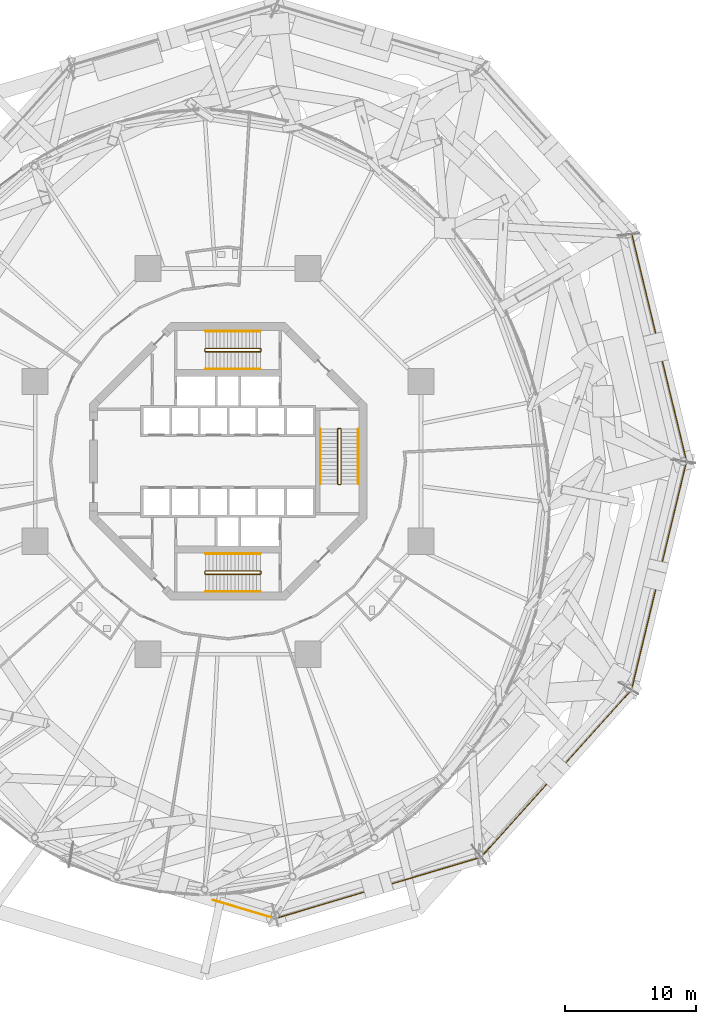
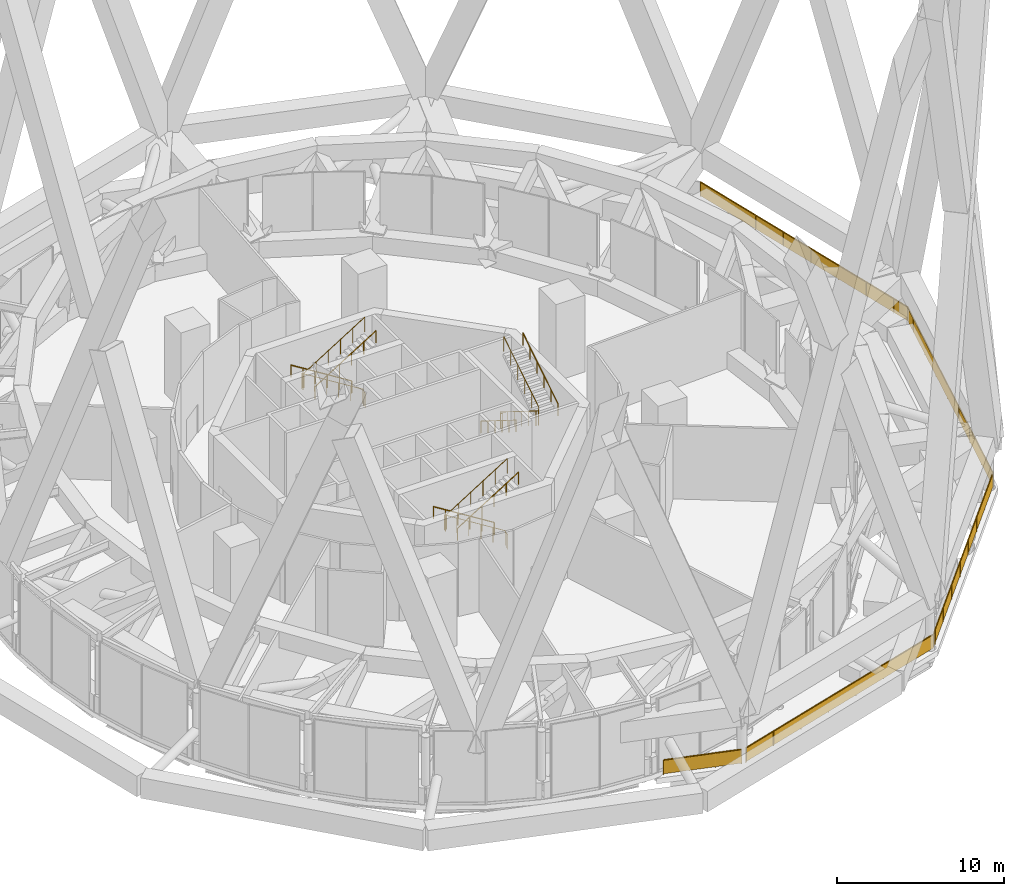
# One storey, part 47 of 49: 11 railings.
"""IFC4 building model written with IfcOpenShell, lengths in metres."""

from ifc_helpers import new_model, si_unit, direction, frame, origin, origin_2d, place, context, subcontext, project, spatial, polyline, rectangle, circle, outline, extrude, material, type_object, element, save


model = new_model("IFC4")

# Units and contexts
model_context = context("Model", 3, precision=1e-05, world=origin(), true_north=direction((0.0, 1.0)))
body_context = subcontext(model_context, "Body", "Model", "MODEL_VIEW")
ifc_project = project(units=[si_unit("LENGTHUNIT", "METRE"), si_unit("AREAUNIT", "SQUARE_METRE"), si_unit("VOLUMEUNIT", "CUBIC_METRE"), si_unit("PLANEANGLEUNIT", "RADIAN"), si_unit("MASSUNIT", "GRAM", prefix="KILO")], contexts=[model_context])

# Site, building, storey
site_placement = place(None, origin())
site = spatial("IfcSite", under=ifc_project, at=site_placement, CompositionType="ELEMENT")
building_placement = place(site_placement, origin())
building = spatial("IfcBuilding", under=site, at=building_placement, Name="Nagisa Residences", CompositionType="ELEMENT")
storey_placement = place(building_placement, frame((0.0, 0.0, 160.300048828125)))
storey = spatial("IfcBuildingStorey", under=building, at=storey_placement, Name="L40", CompositionType="ELEMENT", Elevation=160.300048828125)

# Railings
ifc_material_1 = material(Name="Stainless steel 316", Category="steel")
railing_type_1 = type_object("IfcRailingType", Name="ROOF GUARD 1100", PredefinedType="GUARDRAIL", material=ifc_material_1)
railing_1_placement = place(storey_placement, frame((3.456298828125, -34.992919921875, 0.0)))
element("IfcRailing", 1, at=railing_1_placement, inside=storey, type_object=railing_type_1, Name="guard:L40:deck00-0", PredefinedType="GUARDRAIL", context=body_context, shape_type="SweptSolid", body=[
    extrude(outline(polyline([(-4.618896484375, 1.35009765625), (-0.007080078125, -0.02392578125), (0.007080078125, 0.02392578125), (-4.604736328125, 1.39794921875), (-4.618896484375, 1.35009765625)])), frame((0.0, 0.0, 1.050048828125)), (0.0, 0.0, 1.0), 0.050048828125),
    extrude(outline(polyline([(-4.61376953125, 1.367431640625), (-0.001953125, -0.006591796875), (0.001953125, 0.006591796875), (-4.60986328125, 1.380615234375), (-4.61376953125, 1.367431640625)])), frame((0.0, 0.0, 0.06005859375)), (0.0, 0.0, 1.0), 0.989990234375),
    extrude(rectangle(XDim=0.0400390625, YDim=0.0400390625, at=origin_2d()), origin(), (0.0, 0.0, 1.0), 1.050048828125),
    extrude(rectangle(XDim=0.0400390625, YDim=0.0400390625, at=origin_2d()), frame((-1.537353515625, 0.4580078125, 0.0)), (0.0, 0.0, 1.0), 1.050048828125),
    extrude(rectangle(XDim=0.0400390625, YDim=0.0400390625, at=origin_2d()), frame((-3.074462890625, 0.916015625, 0.0)), (0.0, 0.0, 1.0), 1.050048828125),
    extrude(rectangle(XDim=0.0400390625, YDim=0.0400390625, at=origin_2d()), frame((-4.61181640625, 1.3740234375, 0.0)), (0.0, 0.0, 1.0), 1.050048828125),
])
railing_2_placement = place(storey_placement, frame((30.9130859375, 17.507568359375, 0.0)))
element("IfcRailing", 2, at=railing_2_placement, inside=storey, type_object=railing_type_1, Name="guard:L40:deck01-1", PredefinedType="GUARDRAIL", context=body_context, shape_type="SweptSolid", body=[
    extrude(outline(polyline([(4.24462890625, -17.507568359375), (0.0244140625, 0.005859375), (-0.0244140625, -0.005859375), (4.193359375, -17.507568359375), (-0.02294921875, -35.003173828125), (-11.55078125, -47.821044921875), (-27.176513671875, -52.4765625), (-27.162353515625, -52.5244140625), (-11.52294921875, -47.864990234375), (0.02294921875, -35.027099609375), (4.24462890625, -17.507568359375)])), frame((0.0, 0.0, 1.050048828125)), (0.0, 0.0, 1.0), 0.050048828125),
    extrude(outline(polyline([(4.22607421875, -17.507568359375), (0.0068359375, 0.001708984375), (-0.0068359375, -0.001708984375), (4.2119140625, -17.507568359375), (-0.00634765625, -35.01171875), (-11.540771484375, -47.8369140625), (-27.17138671875, -52.493896484375), (-27.16748046875, -52.507080078125), (-11.532958984375, -47.84912109375), (0.00634765625, -35.0185546875), (4.22607421875, -17.507568359375)])), frame((0.0, 0.0, 0.06005859375)), (0.0, 0.0, 1.0), 0.989990234375),
    extrude(rectangle(XDim=0.0400390625, YDim=0.0400390625, at=origin_2d()), origin(), (0.0, 0.0, 1.0), 1.050048828125),
    extrude(rectangle(XDim=0.0400390625, YDim=0.0400390625, at=origin_2d()), frame((0.56201171875, -2.33251953125, 0.0)), (0.0, 0.0, 1.0), 1.050048828125),
    extrude(rectangle(XDim=0.0400390625, YDim=0.0400390625, at=origin_2d()), frame((1.124267578125, -4.665283203125, 0.0)), (0.0, 0.0, 1.0), 1.050048828125),
    extrude(rectangle(XDim=0.0400390625, YDim=0.0400390625, at=origin_2d()), frame((1.686279296875, -6.997802734375, 0.0)), (0.0, 0.0, 1.0), 1.050048828125),
    extrude(rectangle(XDim=0.0400390625, YDim=0.0400390625, at=origin_2d()), frame((2.24853515625, -9.330322265625, 0.0)), (0.0, 0.0, 1.0), 1.050048828125),
    extrude(rectangle(XDim=0.0400390625, YDim=0.0400390625, at=origin_2d()), frame((2.810546875, -11.6630859375, 0.0)), (0.0, 0.0, 1.0), 1.050048828125),
    extrude(rectangle(XDim=0.0400390625, YDim=0.0400390625, at=origin_2d()), frame((3.37255859375, -13.99560546875, 0.0)), (0.0, 0.0, 1.0), 1.050048828125),
    extrude(rectangle(XDim=0.0400390625, YDim=0.0400390625, at=origin_2d()), frame((3.934814453125, -16.328125, 0.0)), (0.0, 0.0, 1.0), 1.050048828125),
    extrude(rectangle(XDim=0.0400390625, YDim=0.0400390625, at=origin_2d()), frame((3.941162109375, -18.660888671875, 0.0)), (0.0, 0.0, 1.0), 1.050048828125),
    extrude(rectangle(XDim=0.0400390625, YDim=0.0400390625, at=origin_2d()), frame((3.37890625, -20.993408203125, 0.0)), (0.0, 0.0, 1.0), 1.050048828125),
    extrude(rectangle(XDim=0.0400390625, YDim=0.0400390625, at=origin_2d()), frame((2.81689453125, -23.325927734375, 0.0)), (0.0, 0.0, 1.0), 1.050048828125),
    extrude(rectangle(XDim=0.0400390625, YDim=0.0400390625, at=origin_2d()), frame((2.254638671875, -25.65869140625, 0.0)), (0.0, 0.0, 1.0), 1.050048828125),
    extrude(rectangle(XDim=0.0400390625, YDim=0.0400390625, at=origin_2d()), frame((1.692626953125, -27.9912109375, 0.0)), (0.0, 0.0, 1.0), 1.050048828125),
    extrude(rectangle(XDim=0.0400390625, YDim=0.0400390625, at=origin_2d()), frame((1.130615234375, -30.32373046875, 0.0)), (0.0, 0.0, 1.0), 1.050048828125),
    extrude(rectangle(XDim=0.0400390625, YDim=0.0400390625, at=origin_2d()), frame((0.568359375, -32.65625, 0.0)), (0.0, 0.0, 1.0), 1.050048828125),
    extrude(rectangle(XDim=0.0400390625, YDim=0.0400390625, at=origin_2d()), frame((0.00634765625, -34.989013671875, 0.0)), (0.0, 0.0, 1.0), 1.050048828125),
    extrude(rectangle(XDim=0.0400390625, YDim=0.0400390625, at=origin_2d()), frame((-1.58642578125, -36.779052734375, 0.0)), (0.0, 0.0, 1.0), 1.050048828125),
    extrude(rectangle(XDim=0.0400390625, YDim=0.0400390625, at=origin_2d()), frame((-3.19091796875, -38.563232421875, 0.0)), (0.0, 0.0, 1.0), 1.050048828125),
    extrude(rectangle(XDim=0.0400390625, YDim=0.0400390625, at=origin_2d()), frame((-4.79541015625, -40.34716796875, 0.0)), (0.0, 0.0, 1.0), 1.050048828125),
    extrude(rectangle(XDim=0.0400390625, YDim=0.0400390625, at=origin_2d()), frame((-6.39990234375, -42.131103515625, 0.0)), (0.0, 0.0, 1.0), 1.050048828125),
    extrude(rectangle(XDim=0.0400390625, YDim=0.0400390625, at=origin_2d()), frame((-8.00439453125, -43.9150390625, 0.0)), (0.0, 0.0, 1.0), 1.050048828125),
    extrude(rectangle(XDim=0.0400390625, YDim=0.0400390625, at=origin_2d()), frame((-9.60888671875, -45.69921875, 0.0)), (0.0, 0.0, 1.0), 1.050048828125),
    extrude(rectangle(XDim=0.0400390625, YDim=0.0400390625, at=origin_2d()), frame((-11.213134765625, -47.483154296875, 0.0)), (0.0, 0.0, 1.0), 1.050048828125),
    extrude(rectangle(XDim=0.0400390625, YDim=0.0400390625, at=origin_2d()), frame((-13.37255859375, -48.389892578125, 0.0)), (0.0, 0.0, 1.0), 1.050048828125),
    extrude(rectangle(XDim=0.0400390625, YDim=0.0400390625, at=origin_2d()), frame((-15.672119140625, -49.074951171875, 0.0)), (0.0, 0.0, 1.0), 1.050048828125),
    extrude(rectangle(XDim=0.0400390625, YDim=0.0400390625, at=origin_2d()), frame((-17.971435546875, -49.760009765625, 0.0)), (0.0, 0.0, 1.0), 1.050048828125),
    extrude(rectangle(XDim=0.0400390625, YDim=0.0400390625, at=origin_2d()), frame((-20.27099609375, -50.4453125, 0.0)), (0.0, 0.0, 1.0), 1.050048828125),
    extrude(rectangle(XDim=0.0400390625, YDim=0.0400390625, at=origin_2d()), frame((-22.570556640625, -51.13037109375, 0.0)), (0.0, 0.0, 1.0), 1.050048828125),
    extrude(rectangle(XDim=0.0400390625, YDim=0.0400390625, at=origin_2d()), frame((-24.869873046875, -51.8154296875, 0.0)), (0.0, 0.0, 1.0), 1.050048828125),
    extrude(rectangle(XDim=0.0400390625, YDim=0.0400390625, at=origin_2d()), frame((-27.16943359375, -52.50048828125, 0.0)), (0.0, 0.0, 1.0), 1.050048828125),
])
ifc_material_2 = material(Name="Stainless steel", Category="steel")
railing_type_2 = type_object("IfcRailingType", Name="Stair guard 1100", PredefinedType="GUARDRAIL", material=ifc_material_2)
railing_3_placement = place(storey_placement, frame((8.599609375, 2.52490234375, 0.0)))
element("IfcRailing", 3, at=railing_3_placement, inside=storey, type_object=railing_type_2, Name="L40 ST-E stair guard 1", PredefinedType="GUARDRAIL", context=body_context, shape_type="SweptSolid", body=[
    extrude(circle(Radius=0.02392578125, at=origin_2d()), frame((0.0, 0.0, 1.076171875), z_axis=(-1.0, 0.0, 0.0), x_axis=(0.0, -1.0, 0.0)), (0.0, 0.0, 1.0), 0.14990234375),
    extrude(circle(Radius=0.02392578125, at=origin_2d()), frame((-0.14990234375, 0.0, 1.076171875), z_axis=(-0.265155923931, -0.263862480399, 0.927399011991), x_axis=(0.705375805398, -0.708833529934, 0.0)), (0.0, 0.0, 1.0), 0.188720703125),
    extrude(circle(Radius=0.02392578125, at=origin_2d()), frame((-0.199951171875, -0.0498046875, 1.2509765625), z_axis=(0.0, -0.848009380541, 0.529981217134), x_axis=(1.0, 0.0, 0.0)), (0.0, 0.0, 1.0), 4.953125),
    extrude(circle(Radius=0.02392578125, at=origin_2d()), frame((-0.199951171875, -4.25, 3.8759765625), z_axis=(0.708833529934, -0.705375805398, 0.0), x_axis=(0.705375805398, 0.708833529934, 0.0)), (0.0, 0.0, 1.0), 0.070556640625),
    extrude(circle(Radius=0.02392578125, at=origin_2d()), frame((-0.14990234375, -4.2998046875, 3.8759765625), z_axis=(1.0, 0.0, 0.0), x_axis=(0.0, 1.0, 0.0)), (0.0, 0.0, 1.0), 0.14990234375),
    extrude(circle(Radius=0.02392578125, at=origin_2d()), frame((0.0, -4.2998046875, 3.8759765625), z_axis=(0.265474339444, 0.264179342666, 0.927217692888), x_axis=(-0.705375805398, 0.708833529934, 0.0)), (0.0, 0.0, 1.0), 0.1884765625),
    extrude(circle(Radius=0.02392578125, at=origin_2d()), frame((0.050048828125, -4.25, 4.05078125), z_axis=(0.0, 0.848009380541, 0.529981217134), x_axis=(-1.0, 0.0, 0.0)), (0.0, 0.0, 1.0), 4.953125),
    extrude(circle(Radius=0.02099609375, at=origin_2d()), origin(), (0.0, 0.0, 1.0), 1.052001953125),
    extrude(circle(Radius=0.02099609375, at=origin_2d()), frame((-0.14990234375, 0.0, 0.0)), (0.0, 0.0, 1.0), 1.052001953125),
    extrude(circle(Radius=0.02099609375, at=origin_2d()), frame((-0.199951171875, -0.0498046875, 0.175048828125)), (0.0, 0.0, 1.0), 1.052001953125),
    extrude(circle(Radius=0.02099609375, at=origin_2d()), frame((-0.199951171875, -0.889892578125, 0.699951171875)), (0.0, 0.0, 1.0), 1.052001953125),
    extrude(circle(Radius=0.02099609375, at=origin_2d()), frame((-0.199951171875, -1.72998046875, 1.22509765625)), (0.0, 0.0, 1.0), 1.052001953125),
    extrude(circle(Radius=0.02099609375, at=origin_2d()), frame((-0.199951171875, -2.56982421875, 1.75)), (0.0, 0.0, 1.0), 1.052001953125),
    extrude(circle(Radius=0.02099609375, at=origin_2d()), frame((-0.199951171875, -3.409912109375, 2.275146484375)), (0.0, 0.0, 1.0), 1.052001953125),
    extrude(circle(Radius=0.02099609375, at=origin_2d()), frame((-0.199951171875, -4.25, 2.800048828125)), (0.0, 0.0, 1.0), 1.052001953125),
    extrude(circle(Radius=0.02099609375, at=origin_2d()), frame((-0.14990234375, -4.2998046875, 2.800048828125)), (0.0, 0.0, 1.0), 1.052001953125),
    extrude(circle(Radius=0.02099609375, at=origin_2d()), frame((0.0, -4.2998046875, 2.800048828125)), (0.0, 0.0, 1.0), 1.052001953125),
    extrude(circle(Radius=0.02099609375, at=origin_2d()), frame((0.050048828125, -4.25, 2.974853515625)), (0.0, 0.0, 1.0), 1.052001953125),
    extrude(circle(Radius=0.02099609375, at=origin_2d()), frame((0.050048828125, -3.409912109375, 3.499755859375)), (0.0, 0.0, 1.0), 1.052001953125),
    extrude(circle(Radius=0.02099609375, at=origin_2d()), frame((0.050048828125, -2.56982421875, 4.02490234375)), (0.0, 0.0, 1.0), 1.052001953125),
    extrude(circle(Radius=0.02099609375, at=origin_2d()), frame((0.050048828125, -1.72998046875, 4.5498046875)), (0.0, 0.0, 1.0), 1.052001953125),
    extrude(circle(Radius=0.02099609375, at=origin_2d()), frame((0.050048828125, -0.889892578125, 5.074951171875)), (0.0, 0.0, 1.0), 1.052001953125),
    extrude(circle(Radius=0.02099609375, at=origin_2d()), frame((0.050048828125, -0.0498046875, 5.599853515625)), (0.0, 0.0, 1.0), 1.052001953125),
])
railing_4_placement = place(storey_placement, frame((2.52490234375, 8.44970703125, 0.0)))
element("IfcRailing", 4, at=railing_4_placement, inside=storey, type_object=railing_type_2, Name="L40 ST-N stair guard 1", PredefinedType="GUARDRAIL", context=body_context, shape_type="SweptSolid", body=[
    extrude(circle(Radius=0.02392578125, at=origin_2d()), frame((0.0, 0.0, 1.076171875), z_axis=(0.0, 1.0, 0.0), x_axis=(-1.0, 0.0, 0.0)), (0.0, 0.0, 1.0), 0.14990234375),
    extrude(circle(Radius=0.02392578125, at=origin_2d()), frame((0.0, 0.14990234375, 1.076171875), z_axis=(-0.263862480399, 0.265155923931, 0.927399011991), x_axis=(-0.708833529934, -0.705375805398, 0.0)), (0.0, 0.0, 1.0), 0.188720703125),
    extrude(circle(Radius=0.02392578125, at=origin_2d()), frame((-0.0498046875, 0.199951171875, 1.2509765625), z_axis=(-0.848009380541, 0.0, 0.529981217134), x_axis=(0.0, -1.0, 0.0)), (0.0, 0.0, 1.0), 4.953125),
    extrude(circle(Radius=0.02392578125, at=origin_2d()), frame((-4.25, 0.199951171875, 3.8759765625), z_axis=(-0.705375805398, -0.708833529934, 0.0), x_axis=(0.708833529934, -0.705375805398, 0.0)), (0.0, 0.0, 1.0), 0.070556640625),
    extrude(circle(Radius=0.02392578125, at=origin_2d()), frame((-4.2998046875, 0.14990234375, 3.8759765625), z_axis=(0.0, -1.0, 0.0), x_axis=(1.0, 0.0, 0.0)), (0.0, 0.0, 1.0), 0.14990234375),
    extrude(circle(Radius=0.02392578125, at=origin_2d()), frame((-4.2998046875, 0.0, 3.8759765625), z_axis=(0.264179342666, -0.265474339444, 0.927217692888), x_axis=(0.708833529934, 0.705375805398, 0.0)), (0.0, 0.0, 1.0), 0.1884765625),
    extrude(circle(Radius=0.02392578125, at=origin_2d()), frame((-4.25, -0.050048828125, 4.05078125), z_axis=(0.848009380541, 0.0, 0.529981217134), x_axis=(0.0, 1.0, 0.0)), (0.0, 0.0, 1.0), 4.953125),
    extrude(circle(Radius=0.02099609375, at=origin_2d()), origin(), (0.0, 0.0, 1.0), 1.052001953125),
    extrude(circle(Radius=0.02099609375, at=origin_2d()), frame((0.0, 0.14990234375, 0.0)), (0.0, 0.0, 1.0), 1.052001953125),
    extrude(circle(Radius=0.02099609375, at=origin_2d()), frame((-0.0498046875, 0.199951171875, 0.175048828125)), (0.0, 0.0, 1.0), 1.052001953125),
    extrude(circle(Radius=0.02099609375, at=origin_2d()), frame((-0.889892578125, 0.199951171875, 0.699951171875)), (0.0, 0.0, 1.0), 1.052001953125),
    extrude(circle(Radius=0.02099609375, at=origin_2d()), frame((-1.72998046875, 0.199951171875, 1.22509765625)), (0.0, 0.0, 1.0), 1.052001953125),
    extrude(circle(Radius=0.02099609375, at=origin_2d()), frame((-2.56982421875, 0.199951171875, 1.75)), (0.0, 0.0, 1.0), 1.052001953125),
    extrude(circle(Radius=0.02099609375, at=origin_2d()), frame((-3.409912109375, 0.199951171875, 2.275146484375)), (0.0, 0.0, 1.0), 1.052001953125),
    extrude(circle(Radius=0.02099609375, at=origin_2d()), frame((-4.25, 0.199951171875, 2.800048828125)), (0.0, 0.0, 1.0), 1.052001953125),
    extrude(circle(Radius=0.02099609375, at=origin_2d()), frame((-4.2998046875, 0.14990234375, 2.800048828125)), (0.0, 0.0, 1.0), 1.052001953125),
    extrude(circle(Radius=0.02099609375, at=origin_2d()), frame((-4.2998046875, 0.0, 2.800048828125)), (0.0, 0.0, 1.0), 1.052001953125),
    extrude(circle(Radius=0.02099609375, at=origin_2d()), frame((-4.25, -0.050048828125, 2.974853515625)), (0.0, 0.0, 1.0), 1.052001953125),
    extrude(circle(Radius=0.02099609375, at=origin_2d()), frame((-3.409912109375, -0.050048828125, 3.499755859375)), (0.0, 0.0, 1.0), 1.052001953125),
    extrude(circle(Radius=0.02099609375, at=origin_2d()), frame((-2.56982421875, -0.050048828125, 4.02490234375)), (0.0, 0.0, 1.0), 1.052001953125),
    extrude(circle(Radius=0.02099609375, at=origin_2d()), frame((-1.72998046875, -0.050048828125, 4.5498046875)), (0.0, 0.0, 1.0), 1.052001953125),
    extrude(circle(Radius=0.02099609375, at=origin_2d()), frame((-0.889892578125, -0.050048828125, 5.074951171875)), (0.0, 0.0, 1.0), 1.052001953125),
    extrude(circle(Radius=0.02099609375, at=origin_2d()), frame((-0.0498046875, -0.050048828125, 5.599853515625)), (0.0, 0.0, 1.0), 1.052001953125),
])
railing_5_placement = place(storey_placement, frame((2.52490234375, -8.599609375, 0.0)))
element("IfcRailing", 5, at=railing_5_placement, inside=storey, type_object=railing_type_2, Name="L40 ST-S stair guard 1", PredefinedType="GUARDRAIL", context=body_context, shape_type="SweptSolid", body=[
    extrude(circle(Radius=0.02392578125, at=origin_2d()), frame((0.0, 0.0, 1.076171875), z_axis=(0.0, 1.0, 0.0), x_axis=(-1.0, 0.0, 0.0)), (0.0, 0.0, 1.0), 0.14990234375),
    extrude(circle(Radius=0.02392578125, at=origin_2d()), frame((0.0, 0.14990234375, 1.076171875), z_axis=(-0.263862480399, 0.265155923931, 0.927399011991), x_axis=(-0.708833529934, -0.705375805398, 0.0)), (0.0, 0.0, 1.0), 0.188720703125),
    extrude(circle(Radius=0.02392578125, at=origin_2d()), frame((-0.0498046875, 0.199951171875, 1.2509765625), z_axis=(-0.848009380541, 0.0, 0.529981217134), x_axis=(0.0, -1.0, 0.0)), (0.0, 0.0, 1.0), 4.953125),
    extrude(circle(Radius=0.02392578125, at=origin_2d()), frame((-4.25, 0.199951171875, 3.8759765625), z_axis=(-0.705375805398, -0.708833529934, 0.0), x_axis=(0.708833529934, -0.705375805398, 0.0)), (0.0, 0.0, 1.0), 0.070556640625),
    extrude(circle(Radius=0.02392578125, at=origin_2d()), frame((-4.2998046875, 0.14990234375, 3.8759765625), z_axis=(0.0, -1.0, 0.0), x_axis=(1.0, 0.0, 0.0)), (0.0, 0.0, 1.0), 0.14990234375),
    extrude(circle(Radius=0.02392578125, at=origin_2d()), frame((-4.2998046875, 0.0, 3.8759765625), z_axis=(0.264179342666, -0.265474339444, 0.927217692888), x_axis=(0.708833529934, 0.705375805398, 0.0)), (0.0, 0.0, 1.0), 0.1884765625),
    extrude(circle(Radius=0.02392578125, at=origin_2d()), frame((-4.25, -0.050048828125, 4.05078125), z_axis=(0.848009380541, 0.0, 0.529981217134), x_axis=(0.0, 1.0, 0.0)), (0.0, 0.0, 1.0), 4.953125),
    extrude(circle(Radius=0.02099609375, at=origin_2d()), origin(), (0.0, 0.0, 1.0), 1.052001953125),
    extrude(circle(Radius=0.02099609375, at=origin_2d()), frame((0.0, 0.14990234375, 0.0)), (0.0, 0.0, 1.0), 1.052001953125),
    extrude(circle(Radius=0.02099609375, at=origin_2d()), frame((-0.0498046875, 0.199951171875, 0.175048828125)), (0.0, 0.0, 1.0), 1.052001953125),
    extrude(circle(Radius=0.02099609375, at=origin_2d()), frame((-0.889892578125, 0.199951171875, 0.699951171875)), (0.0, 0.0, 1.0), 1.052001953125),
    extrude(circle(Radius=0.02099609375, at=origin_2d()), frame((-1.72998046875, 0.199951171875, 1.22509765625)), (0.0, 0.0, 1.0), 1.052001953125),
    extrude(circle(Radius=0.02099609375, at=origin_2d()), frame((-2.56982421875, 0.199951171875, 1.75)), (0.0, 0.0, 1.0), 1.052001953125),
    extrude(circle(Radius=0.02099609375, at=origin_2d()), frame((-3.409912109375, 0.199951171875, 2.275146484375)), (0.0, 0.0, 1.0), 1.052001953125),
    extrude(circle(Radius=0.02099609375, at=origin_2d()), frame((-4.25, 0.199951171875, 2.800048828125)), (0.0, 0.0, 1.0), 1.052001953125),
    extrude(circle(Radius=0.02099609375, at=origin_2d()), frame((-4.2998046875, 0.14990234375, 2.800048828125)), (0.0, 0.0, 1.0), 1.052001953125),
    extrude(circle(Radius=0.02099609375, at=origin_2d()), frame((-4.2998046875, 0.0, 2.800048828125)), (0.0, 0.0, 1.0), 1.052001953125),
    extrude(circle(Radius=0.02099609375, at=origin_2d()), frame((-4.25, -0.050048828125, 2.974853515625)), (0.0, 0.0, 1.0), 1.052001953125),
    extrude(circle(Radius=0.02099609375, at=origin_2d()), frame((-3.409912109375, -0.050048828125, 3.499755859375)), (0.0, 0.0, 1.0), 1.052001953125),
    extrude(circle(Radius=0.02099609375, at=origin_2d()), frame((-2.56982421875, -0.050048828125, 4.02490234375)), (0.0, 0.0, 1.0), 1.052001953125),
    extrude(circle(Radius=0.02099609375, at=origin_2d()), frame((-1.72998046875, -0.050048828125, 4.5498046875)), (0.0, 0.0, 1.0), 1.052001953125),
    extrude(circle(Radius=0.02099609375, at=origin_2d()), frame((-0.889892578125, -0.050048828125, 5.074951171875)), (0.0, 0.0, 1.0), 1.052001953125),
    extrude(circle(Radius=0.02099609375, at=origin_2d()), frame((-0.0498046875, -0.050048828125, 5.599853515625)), (0.0, 0.0, 1.0), 1.052001953125),
])
ifc_material_3 = material(Name="Stainless steel", Category="steel")
railing_type_3 = type_object("IfcRailingType", Name="Stair handrail 900", PredefinedType="HANDRAIL", material=ifc_material_3)
railing_6_placement = place(storey_placement, frame((7.07470703125, 2.47509765625, 0.175048828125)))
element("IfcRailing", 6, at=railing_6_placement, inside=storey, type_object=railing_type_3, Name="L40 ST-E stair handrail 1", PredefinedType="HANDRAIL", context=body_context, shape_type="SweptSolid", body=[
    extrude(circle(Radius=0.02392578125, at=origin_2d()), frame((0.0, 0.0, 0.8759765625), z_axis=(0.0, -0.848009380541, 0.529981217134), x_axis=(1.0, 0.0, 0.0)), (0.0, 0.0, 1.0), 4.953125),
    extrude(circle(Radius=0.02099609375, at=origin_2d()), origin(), (0.0, 0.0, 1.0), 0.851806640625),
    extrude(circle(Radius=0.02099609375, at=origin_2d()), frame((0.0, -0.840087890625, 0.52490234375)), (0.0, 0.0, 1.0), 0.851806640625),
    extrude(circle(Radius=0.02099609375, at=origin_2d()), frame((0.0, -1.68017578125, 1.050048828125)), (0.0, 0.0, 1.0), 0.851806640625),
    extrude(circle(Radius=0.02099609375, at=origin_2d()), frame((0.0, -2.52001953125, 1.574951171875)), (0.0, 0.0, 1.0), 0.851806640625),
    extrude(circle(Radius=0.02099609375, at=origin_2d()), frame((0.0, -3.360107421875, 2.10009765625)), (0.0, 0.0, 1.0), 0.851806640625),
    extrude(circle(Radius=0.02099609375, at=origin_2d()), frame((0.0, -4.2001953125, 2.625)), (0.0, 0.0, 1.0), 0.851806640625),
])
railing_7_placement = place(storey_placement, frame((9.974609375, -1.72509765625, 2.974853515625)))
element("IfcRailing", 7, at=railing_7_placement, inside=storey, type_object=railing_type_3, Name="L40 ST-E stair handrail 2", PredefinedType="HANDRAIL", context=body_context, shape_type="SweptSolid", body=[
    extrude(circle(Radius=0.02392578125, at=origin_2d()), frame((0.0, 0.0, 0.8759765625), z_axis=(0.0, 0.848009380541, 0.529981217134), x_axis=(-1.0, 0.0, 0.0)), (0.0, 0.0, 1.0), 4.953125),
    extrude(circle(Radius=0.02099609375, at=origin_2d()), origin(), (0.0, 0.0, 1.0), 0.851806640625),
    extrude(circle(Radius=0.02099609375, at=origin_2d()), frame((0.0, 0.840087890625, 0.52490234375)), (0.0, 0.0, 1.0), 0.851806640625),
    extrude(circle(Radius=0.02099609375, at=origin_2d()), frame((0.0, 1.68017578125, 1.050048828125)), (0.0, 0.0, 1.0), 0.851806640625),
    extrude(circle(Radius=0.02099609375, at=origin_2d()), frame((0.0, 2.52001953125, 1.574951171875)), (0.0, 0.0, 1.0), 0.851806640625),
    extrude(circle(Radius=0.02099609375, at=origin_2d()), frame((0.0, 3.360107421875, 2.10009765625)), (0.0, 0.0, 1.0), 0.851806640625),
    extrude(circle(Radius=0.02099609375, at=origin_2d()), frame((0.0, 4.2001953125, 2.625)), (0.0, 0.0, 1.0), 0.851806640625),
])
railing_8_placement = place(storey_placement, frame((2.47509765625, 9.974609375, 0.175048828125)))
element("IfcRailing", 8, at=railing_8_placement, inside=storey, type_object=railing_type_3, Name="L40 ST-N stair handrail 1", PredefinedType="HANDRAIL", context=body_context, shape_type="SweptSolid", body=[
    extrude(circle(Radius=0.02392578125, at=origin_2d()), frame((0.0, 0.0, 0.8759765625), z_axis=(-0.848009380541, 0.0, 0.529981217134), x_axis=(0.0, -1.0, 0.0)), (0.0, 0.0, 1.0), 4.953125),
    extrude(circle(Radius=0.02099609375, at=origin_2d()), origin(), (0.0, 0.0, 1.0), 0.851806640625),
    extrude(circle(Radius=0.02099609375, at=origin_2d()), frame((-0.840087890625, 0.0, 0.52490234375)), (0.0, 0.0, 1.0), 0.851806640625),
    extrude(circle(Radius=0.02099609375, at=origin_2d()), frame((-1.68017578125, 0.0, 1.050048828125)), (0.0, 0.0, 1.0), 0.851806640625),
    extrude(circle(Radius=0.02099609375, at=origin_2d()), frame((-2.52001953125, 0.0, 1.574951171875)), (0.0, 0.0, 1.0), 0.851806640625),
    extrude(circle(Radius=0.02099609375, at=origin_2d()), frame((-3.360107421875, 0.0, 2.10009765625)), (0.0, 0.0, 1.0), 0.851806640625),
    extrude(circle(Radius=0.02099609375, at=origin_2d()), frame((-4.2001953125, 0.0, 2.625)), (0.0, 0.0, 1.0), 0.851806640625),
])
railing_9_placement = place(storey_placement, frame((-1.72509765625, 7.07470703125, 2.974853515625)))
element("IfcRailing", 9, at=railing_9_placement, inside=storey, type_object=railing_type_3, Name="L40 ST-N stair handrail 2", PredefinedType="HANDRAIL", context=body_context, shape_type="SweptSolid", body=[
    extrude(circle(Radius=0.02392578125, at=origin_2d()), frame((0.0, 0.0, 0.8759765625), z_axis=(0.848009380541, 0.0, 0.529981217134), x_axis=(0.0, 1.0, 0.0)), (0.0, 0.0, 1.0), 4.953125),
    extrude(circle(Radius=0.02099609375, at=origin_2d()), origin(), (0.0, 0.0, 1.0), 0.851806640625),
    extrude(circle(Radius=0.02099609375, at=origin_2d()), frame((0.840087890625, 0.0, 0.52490234375)), (0.0, 0.0, 1.0), 0.851806640625),
    extrude(circle(Radius=0.02099609375, at=origin_2d()), frame((1.68017578125, 0.0, 1.050048828125)), (0.0, 0.0, 1.0), 0.851806640625),
    extrude(circle(Radius=0.02099609375, at=origin_2d()), frame((2.52001953125, 0.0, 1.574951171875)), (0.0, 0.0, 1.0), 0.851806640625),
    extrude(circle(Radius=0.02099609375, at=origin_2d()), frame((3.360107421875, 0.0, 2.10009765625)), (0.0, 0.0, 1.0), 0.851806640625),
    extrude(circle(Radius=0.02099609375, at=origin_2d()), frame((4.2001953125, 0.0, 2.625)), (0.0, 0.0, 1.0), 0.851806640625),
])
railing_10_placement = place(storey_placement, frame((2.47509765625, -7.07470703125, 0.175048828125)))
element("IfcRailing", 10, at=railing_10_placement, inside=storey, type_object=railing_type_3, Name="L40 ST-S stair handrail 1", PredefinedType="HANDRAIL", context=body_context, shape_type="SweptSolid", body=[
    extrude(circle(Radius=0.02392578125, at=origin_2d()), frame((0.0, 0.0, 0.8759765625), z_axis=(-0.848009380541, 0.0, 0.529981217134), x_axis=(0.0, -1.0, 0.0)), (0.0, 0.0, 1.0), 4.953125),
    extrude(circle(Radius=0.02099609375, at=origin_2d()), origin(), (0.0, 0.0, 1.0), 0.851806640625),
    extrude(circle(Radius=0.02099609375, at=origin_2d()), frame((-0.840087890625, 0.0, 0.52490234375)), (0.0, 0.0, 1.0), 0.851806640625),
    extrude(circle(Radius=0.02099609375, at=origin_2d()), frame((-1.68017578125, 0.0, 1.050048828125)), (0.0, 0.0, 1.0), 0.851806640625),
    extrude(circle(Radius=0.02099609375, at=origin_2d()), frame((-2.52001953125, 0.0, 1.574951171875)), (0.0, 0.0, 1.0), 0.851806640625),
    extrude(circle(Radius=0.02099609375, at=origin_2d()), frame((-3.360107421875, 0.0, 2.10009765625)), (0.0, 0.0, 1.0), 0.851806640625),
    extrude(circle(Radius=0.02099609375, at=origin_2d()), frame((-4.2001953125, 0.0, 2.625)), (0.0, 0.0, 1.0), 0.851806640625),
])
railing_11_placement = place(storey_placement, frame((-1.72509765625, -9.974609375, 2.974853515625)))
element("IfcRailing", 11, at=railing_11_placement, inside=storey, type_object=railing_type_3, Name="L40 ST-S stair handrail 2", PredefinedType="HANDRAIL", context=body_context, shape_type="SweptSolid", body=[
    extrude(circle(Radius=0.02392578125, at=origin_2d()), frame((0.0, 0.0, 0.8759765625), z_axis=(0.848009380541, 0.0, 0.529981217134), x_axis=(0.0, 1.0, 0.0)), (0.0, 0.0, 1.0), 4.953125),
    extrude(circle(Radius=0.02099609375, at=origin_2d()), origin(), (0.0, 0.0, 1.0), 0.851806640625),
    extrude(circle(Radius=0.02099609375, at=origin_2d()), frame((0.840087890625, 0.0, 0.52490234375)), (0.0, 0.0, 1.0), 0.851806640625),
    extrude(circle(Radius=0.02099609375, at=origin_2d()), frame((1.68017578125, 0.0, 1.050048828125)), (0.0, 0.0, 1.0), 0.851806640625),
    extrude(circle(Radius=0.02099609375, at=origin_2d()), frame((2.52001953125, 0.0, 1.574951171875)), (0.0, 0.0, 1.0), 0.851806640625),
    extrude(circle(Radius=0.02099609375, at=origin_2d()), frame((3.360107421875, 0.0, 2.10009765625)), (0.0, 0.0, 1.0), 0.851806640625),
    extrude(circle(Radius=0.02099609375, at=origin_2d()), frame((4.2001953125, 0.0, 2.625)), (0.0, 0.0, 1.0), 0.851806640625),
])

save(model, "model.ifc")
